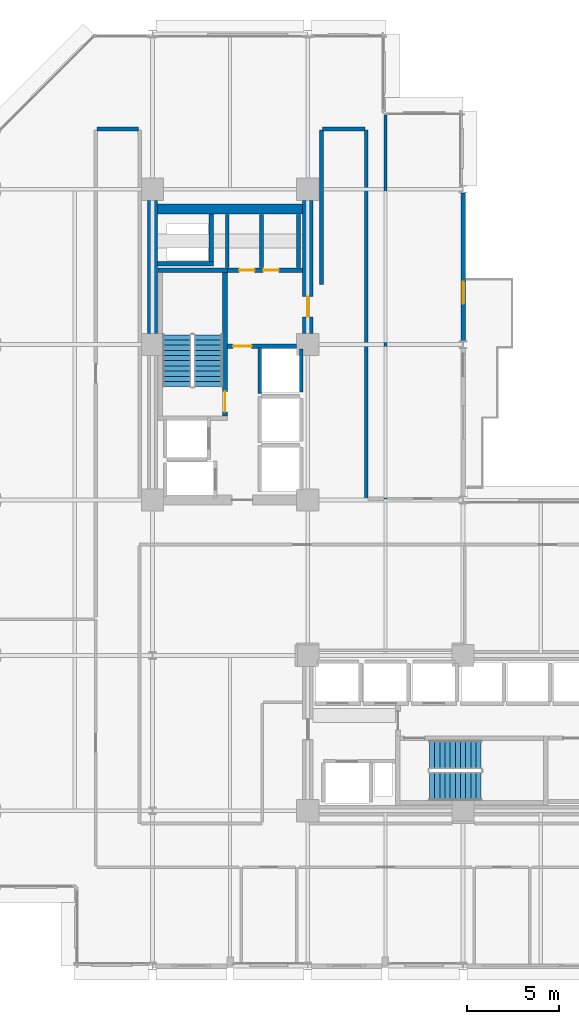
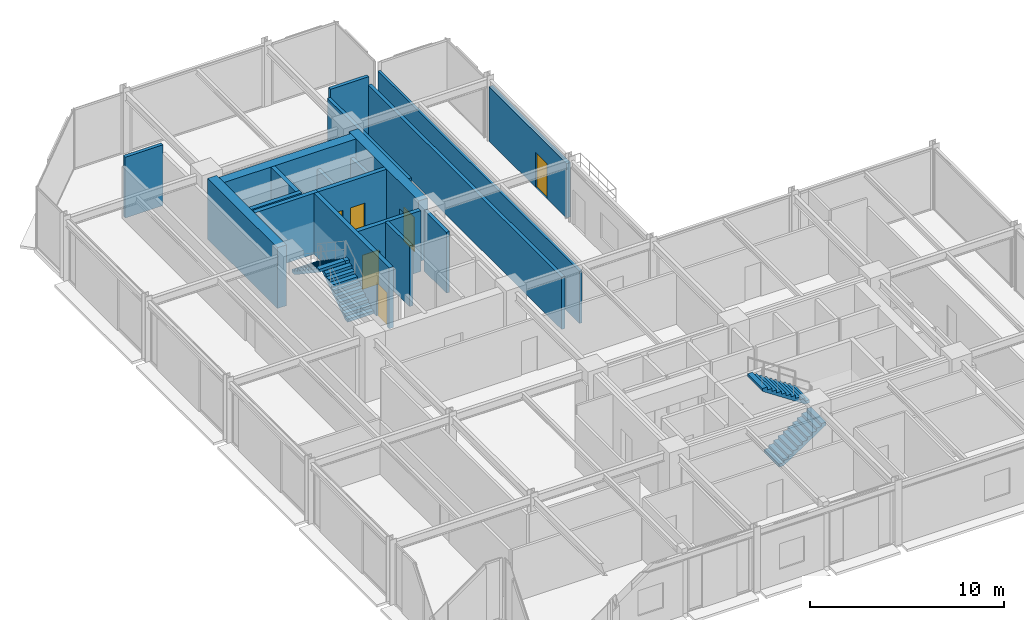
# One storey, part 26 of 30: 20 walls, 6 doors, 4 stair flights, 6 openings, 2 elements without a shape of their own.
"""IFC4 building model written with IfcOpenShell, lengths in metres."""

from ifc_helpers import new_model, si_unit, direction, frame, frame_2d, origin, place, context, subcontext, project, spatial, polyline, rectangle, outline, extrude, material, layer, layer_set, type_object, element, fill, aggregate, save


model = new_model("IFC4")

# Units and contexts
model_context = context("Model", 3, precision=1e-05, world=origin(), true_north=direction((0.0, 1.0)))
body_context = subcontext(model_context, "Body", "Model", "MODEL_VIEW")
ifc_project = project(units=[si_unit("LENGTHUNIT", "METRE"), si_unit("AREAUNIT", "SQUARE_METRE"), si_unit("VOLUMEUNIT", "CUBIC_METRE"), si_unit("PLANEANGLEUNIT", "RADIAN"), si_unit("MASSUNIT", "GRAM", prefix="KILO")], contexts=[model_context])

# Site, building, storey
site_placement = place(None, origin())
site = spatial("IfcSite", under=ifc_project, at=site_placement, CompositionType="ELEMENT")
building_placement = place(site_placement, origin())
building = spatial("IfcBuilding", under=site, at=building_placement, Name="Nerrivon Quay Data Exchange", CompositionType="ELEMENT")
storey_placement = place(building_placement, frame((0.0, 0.0, 117.199951171875)))
storey = spatial("IfcBuildingStorey", under=building, at=storey_placement, Name="L27", CompositionType="ELEMENT", Elevation=117.199951171875)

# Wall, opening, door
ifc_material_1 = material(Name="Architectural terracotta precast concrete N50 (50 MPa)", Category="masonry")
ifc_layer_1 = layer(ifc_material_1, 0.239990234375)
ifc_layer_set_1 = layer_set([ifc_layer_1], Name="Architectural terracotta precast concrete N50 (50 MPa)")
wall_type_1 = type_object("IfcWallType", Name="EW-PREC-240", PredefinedType="STANDARD", material=ifc_layer_set_1)
wall_1_placement = place(storey_placement, frame((25.199951171875, 41.800048828125, 0.0), z_axis=(0.0, 0.0, 1.0), x_axis=(0.0, -1.0, 0.0)))
wall_1 = element("IfcWall", 1, at=wall_1_placement, inside=storey, type_object=wall_type_1, Name="L27 Terrace Host Wall 24", PredefinedType="STANDARD", context=body_context, shape_type="SweptSolid", body=[
    extrude(rectangle(XDim=8.0, YDim=0.239990234375, at=frame_2d((4.0, 0.0))), origin(), (0.0, 0.0, 1.0), 3.422119140625),
])
opening_1_placement = place(wall_1_placement, frame((4.800048828125, 0.0, 0.0)))
opening_1 = element("IfcOpeningElement", 2, at=opening_1_placement, cuts=wall_1, Name="Opening TD1", PredefinedType="OPENING", context=body_context, shape_type="SweptSolid", body=[
    extrude(rectangle(XDim=1.199951171875, YDim=2.199951171875, at=frame_2d((0.60009765625, 1.10009765625))), frame((0.0, 0.1298828125, 0.0), z_axis=(0.0, -1.0, 0.0), x_axis=(1.0, 0.0, 0.0)), (0.0, 0.0, 1.0), 0.260009765625),
])
ifc_material_2 = material(Name="Double-glazed low-E solar control glass", Category="glass")
door_type_1 = type_object("IfcDoorType", Name="DR-TERR-1200x2200", OperationType="NOTDEFINED", PredefinedType="DOOR", material=ifc_material_2)
door_1_placement = place(opening_1_placement, origin())
door_1 = element("IfcDoor", 3, at=door_1_placement, inside=storey, type_object=door_type_1, Name="L27 Outdoor Terrace Access Door 24", OperationType="SINGLE_SWING_LEFT", OverallHeight=2.199951171875, OverallWidth=1.199951171875, PredefinedType="DOOR", context=body_context, shape_type="SweptSolid", body=[
    extrude(rectangle(XDim=1.199951171875, YDim=2.199951171875, at=frame_2d((0.60009765625, 1.10009765625))), frame((0.0, 0.02490234375, 0.0), z_axis=(0.0, -1.0, 0.0), x_axis=(1.0, 0.0, 0.0)), (0.0, 0.0, 1.0), 0.050048828125),
])
fill(opening_1, door_1)

# Walls
ifc_material_3 = material(Name="Concrete S65 (65 MPa)", Category="concrete")
ifc_layer_2 = layer(ifc_material_3, 0.550048828125)
ifc_layer_set_2 = layer_set([ifc_layer_2], Name="Concrete S65 (65 MPa)")
wall_type_2 = type_object("IfcWallType", Name="WALL-CW-700", PredefinedType="SHEAR", material=ifc_layer_set_2)
wall_2_placement = place(storey_placement, frame((8.39990234375, 34.199951171875, 0.0), z_axis=(0.0, 0.0, 1.0), x_axis=(0.0, 1.0, 0.0)))
element("IfcWall", 4, at=wall_2_placement, inside=storey, type_object=wall_type_2, Name="L27 West Split-Core Shear Wall WCW-W2", PredefinedType="SHEAR", context=body_context, shape_type="SweptSolid", body=[
    extrude(rectangle(XDim=7.199951171875, YDim=0.550048828125, at=frame_2d((3.60009765625, 0.0))), origin(), (0.0, 0.0, 1.0), 3.824951171875),
])
wall_3_placement = place(storey_placement, frame((8.675048828125, 40.925048828125, 0.0), z_axis=(0.0, 0.0, 1.0), x_axis=(1.0, 0.0, 0.0)))
element("IfcWall", 5, at=wall_3_placement, inside=storey, type_object=wall_type_2, Name="L27 West Split-Core Shear Wall WCW-N1", PredefinedType="SHEAR", context=body_context, shape_type="SweptSolid", body=[
    extrude(rectangle(XDim=7.849853515625, YDim=0.550048828125, at=frame_2d((3.9248046875, 0.0))), origin(), (0.0, 0.0, 1.0), 3.824951171875),
])

# Wall, opening, door
wall_4_placement = place(storey_placement, frame((16.800048828125, 34.199951171875, 0.0), z_axis=(0.0, 0.0, 1.0), x_axis=(0.0, 1.0, 0.0)))
wall_4 = element("IfcWall", 6, at=wall_4_placement, inside=storey, type_object=wall_type_2, Name="L27 West Split-Core Shear Wall WCW-E1", PredefinedType="SHEAR", context=body_context, shape_type="SweptSolid", body=[
    extrude(rectangle(XDim=7.199951171875, YDim=0.550048828125, at=frame_2d((3.60009765625, 0.0))), origin(), (0.0, 0.0, 1.0), 3.824951171875),
])
opening_2_placement = place(wall_4_placement, frame((0.89990234375, 0.0, 0.0)))
opening_2 = element("IfcOpeningElement", 7, at=opening_2_placement, cuts=wall_4, Name="Opening FD-120", PredefinedType="OPENING", context=body_context, shape_type="SweptSolid", body=[
    extrude(rectangle(XDim=1.10009765625, YDim=2.14990234375, at=frame_2d((0.550048828125, 1.074951171875))), frame((0.0, 0.284912109375, 0.0), z_axis=(0.0, -1.0, 0.0), x_axis=(1.0, 0.0, 0.0)), (0.0, 0.0, 1.0), 0.570068359375),
])
ifc_material_4 = material(Name="Powder-coated galvanized steel sheet", Category="steel")
door_type_2 = type_object("IfcDoorType", Name="DR-FD120-1100", OperationType="NOTDEFINED", PredefinedType="DOOR", material=ifc_material_4)
door_2_placement = place(opening_2_placement, origin())
door_2 = element("IfcDoor", 8, at=door_2_placement, inside=storey, type_object=door_type_2, Name="L27 West Core Lobby Fire Door", OperationType="SINGLE_SWING_RIGHT", OverallHeight=2.14990234375, OverallWidth=1.10009765625, PredefinedType="DOOR", context=body_context, shape_type="SweptSolid", body=[
    extrude(rectangle(XDim=1.10009765625, YDim=2.14990234375, at=frame_2d((0.550048828125, 1.074951171875))), frame((0.0, 0.02490234375, 0.0), z_axis=(0.0, -1.0, 0.0), x_axis=(1.0, 0.0, 0.0)), (0.0, 0.0, 1.0), 0.050048828125),
])
fill(opening_2, door_2)

# Walls
ifc_material_5 = material(Name="Gypsum plasterboard on cold-formed framing", Category="gypsum")
ifc_layer_3 = layer(ifc_material_5, 0.199951171875)
ifc_layer_set_3 = layer_set([ifc_layer_3], Name="Gypsum plasterboard on cold-formed framing")
wall_type_3 = type_object("IfcWallType", Name="WALL-FW-200", PredefinedType="PARTITIONING", material=ifc_layer_set_3)
wall_5_placement = place(storey_placement, frame((14.199951171875, 30.949951171875, 0.0), z_axis=(0.0, 0.0, 1.0), x_axis=(0.0, 1.0, 0.0)))
element("IfcWall", 9, at=wall_5_placement, inside=storey, type_object=wall_type_3, Name="L27 Lift Front Wall PL3", PredefinedType="PARTITIONING", context=body_context, shape_type="SweptSolid", body=[
    extrude(rectangle(XDim=2.5, YDim=0.199951171875, at=frame_2d((1.25, 0.0))), origin(), (0.0, 0.0, 1.0), 3.824951171875),
])
wall_6_placement = place(storey_placement, frame((16.449951171875, 31.050048828125, 0.0), z_axis=(0.0, 0.0, 1.0), x_axis=(0.0, 1.0, 0.0)))
element("IfcWall", 10, at=wall_6_placement, inside=storey, type_object=wall_type_3, Name="L27 Lift Shaft Wall PL3 EAST", PredefinedType="PARTITIONING", context=body_context, shape_type="SweptSolid", body=[
    extrude(rectangle(XDim=2.300048828125, YDim=0.199951171875, at=frame_2d((1.14990234375, 0.0))), origin(), (0.0, 0.0, 1.0), 3.824951171875),
])
for number, where, z_axis, x_axis, name in (
    (11, (14.300048828125, 37.780029296875, 0.0), (0.0, 0.0, 1.0), (0.0, 1.0, 0.0), "L27 Partition Cleaners Store"),
    (12, (12.449951171875, 40.64599609375, 0.0), (0.0, 0.0, 1.0), (0.0, -1.0, 0.0), "L27 Partition Cleaners Store"),
    (13, (16.300048828125, 37.780029296875, 0.0), (0.0, 0.0, 1.0), (0.0, 1.0, 0.0), "L27 Partition Janitor Closet"),
):
    element("IfcWall", number, at=place(storey_placement, frame(where, z_axis=z_axis, x_axis=x_axis)), inside=storey, type_object=wall_type_3, Name=name, PredefinedType="PARTITIONING", context=body_context, shape_type="SweptSolid", body=[
        extrude(rectangle(XDim=2.865966796875, YDim=0.199951171875, at=frame_2d((1.43310546875, 0.0))), origin(), (0.0, 0.0, 1.0), 2.72509765625),
    ])
wall_7_placement = place(storey_placement, frame((19.9599609375, 45.199951171875, 0.0), z_axis=(0.0, 0.0, 1.0), x_axis=(0.0, -1.0, 0.0)))
element("IfcWall", 14, at=wall_7_placement, inside=storey, type_object=wall_type_3, Name="L27 Partition Colocation Data Workspace 1", PredefinedType="PARTITIONING", context=body_context, shape_type="SweptSolid", body=[
    extrude(rectangle(XDim=19.93994140625, YDim=0.199951171875, at=frame_2d((9.969970703125, 0.0))), origin(), (0.0, 0.0, 1.0), 3.2919921875),
])
wall_8_placement = place(storey_placement, frame((5.39990234375, 45.260009765625, 0.0), z_axis=(0.0, 0.0, 1.0), x_axis=(1.0, 0.0, 0.0)))
element("IfcWall", 15, at=wall_8_placement, inside=storey, type_object=wall_type_3, Name="L27 Partition Colocation Data Workspace 1", PredefinedType="PARTITIONING", context=body_context, shape_type="SweptSolid", body=[
    extrude(rectangle(XDim=2.25, YDim=0.199951171875, at=frame_2d((1.125, 0.0))), origin(), (0.0, 0.0, 1.0), 3.824951171875),
])
wall_9_placement = place(storey_placement, frame((17.5400390625, 36.860107421875, 0.0), z_axis=(0.0, 0.0, 1.0), x_axis=(0.0, 1.0, 0.0)))
element("IfcWall", 16, at=wall_9_placement, inside=storey, type_object=wall_type_3, Name="L27 Partition Colocation Data Workspace 1", PredefinedType="PARTITIONING", context=body_context, shape_type="SweptSolid", body=[
    extrude(rectangle(XDim=8.33984375, YDim=0.199951171875, at=frame_2d((4.169921875, 0.0))), origin(), (0.0, 0.0, 1.0), 3.2919921875),
])
wall_10_placement = place(storey_placement, frame((17.60009765625, 45.260009765625, 0.0), z_axis=(0.0, 0.0, 1.0), x_axis=(1.0, 0.0, 0.0)))
element("IfcWall", 17, at=wall_10_placement, inside=storey, type_object=wall_type_3, Name="L27 Partition Colocation Data Workspace 1", PredefinedType="PARTITIONING", context=body_context, shape_type="SweptSolid", body=[
    extrude(rectangle(XDim=2.2998046875, YDim=0.199951171875, at=frame_2d((1.14990234375, 0.0))), origin(), (0.0, 0.0, 1.0), 3.824951171875),
])
ifc_layer_4 = layer(ifc_material_5, 0.14990234375)
ifc_layer_set_4 = layer_set([ifc_layer_4], Name="Gypsum plasterboard on cold-formed framing")
wall_type_4 = type_object("IfcWallType", Name="WALL-PT-150", PredefinedType="PARTITIONING", material=ifc_layer_set_4)
wall_11_placement = place(storey_placement, frame((21.0, 46.031005859375, 0.0), z_axis=(0.0, 0.0, 1.0), x_axis=(0.0, -1.0, 0.0)))
element("IfcWall", 18, at=wall_11_placement, inside=storey, type_object=wall_type_4, Name="L27 Partition Technical Library", PredefinedType="PARTITIONING", context=body_context, shape_type="SweptSolid", body=[
    extrude(rectangle(XDim=20.77099609375, YDim=0.14990234375, at=frame_2d((10.385498046875, 0.0))), origin(), (0.0, 0.0, 1.0), 3.2919921875),
])
ifc_material_6 = material(Name="Concrete N50 (50 MPa)", Category="concrete")
ifc_layer_5 = layer(ifc_material_6, 0.25)
ifc_layer_set_5 = layer_set([ifc_layer_5], Name="Concrete N50 (50 MPa)")
wall_type_5 = type_object("IfcWallType", Name="WALL-SW-250", PredefinedType="SHEAR", material=ifc_layer_set_5)
wall_12_placement = place(storey_placement, frame((12.449951171875, 37.625, 0.0), z_axis=(0.0, 0.0, 1.0), x_axis=(-1.0, 0.0, 0.0)))
element("IfcWall", 19, at=wall_12_placement, inside=storey, type_object=wall_type_5, Name="L27 ST01 Structural Stair Core Wall FAR", PredefinedType="SHEAR", context=body_context, shape_type="SweptSolid", body=[
    extrude(rectangle(XDim=3.75, YDim=0.25, at=frame_2d((1.875, 0.0))), origin(), (0.0, 0.0, 1.0), 3.824951171875),
])

# Wall, opening, door
wall_13_placement = place(storey_placement, frame((12.324951171875, 29.75, 0.0), z_axis=(0.0, 0.0, 1.0), x_axis=(0.0, 1.0, 0.0)))
wall_13 = element("IfcWall", 20, at=wall_13_placement, inside=storey, type_object=wall_type_5, Name="L27 ST01 Structural Stair Core Wall LEFT", PredefinedType="SHEAR", context=body_context, shape_type="SweptSolid", body=[
    extrude(rectangle(XDim=7.75, YDim=0.25, at=frame_2d((3.875, 0.0))), origin(), (0.0, 0.0, 1.0), 3.824951171875),
])
opening_3_placement = place(wall_13_placement, frame((0.219970703125, 0.0, 0.0)))
opening_3 = element("IfcOpeningElement", 21, at=opening_3_placement, cuts=wall_13, Name="Opening FD-120", PredefinedType="OPENING", context=body_context, shape_type="SweptSolid", body=[
    extrude(rectangle(XDim=1.10009765625, YDim=2.14990234375, at=frame_2d((0.550048828125, 1.074951171875))), frame((0.0, 0.135009765625, 0.0), z_axis=(0.0, -1.0, 0.0), x_axis=(1.0, 0.0, 0.0)), (0.0, 0.0, 1.0), 0.27001953125),
])
door_3_placement = place(opening_3_placement, origin())
door_3 = element("IfcDoor", 22, at=door_3_placement, inside=storey, type_object=door_type_2, Name="L27 Protected Stair Door ST01", OperationType="SINGLE_SWING_RIGHT", OverallHeight=2.14990234375, OverallWidth=1.10009765625, PredefinedType="DOOR", context=body_context, shape_type="SweptSolid", body=[
    extrude(rectangle(XDim=1.10009765625, YDim=2.14990234375, at=frame_2d((0.550048828125, 1.074951171875))), frame((0.0, 0.02490234375, 0.0), z_axis=(0.0, -1.0, 0.0), x_axis=(1.0, 0.0, 0.0)), (0.0, 0.0, 1.0), 0.050048828125),
])
fill(opening_3, door_3)

# Walls
wall_14_placement = place(storey_placement, frame((8.675048828125, 37.97509765625, 0.0), z_axis=(0.0, 0.0, 1.0), x_axis=(1.0, 0.0, 0.0)))
element("IfcWall", 23, at=wall_14_placement, inside=storey, type_object=wall_type_5, Name="L27 West Core MEP Riser Shaft Wall S", PredefinedType="SHEAR", context=body_context, shape_type="SweptSolid", body=[
    extrude(rectangle(XDim=3.02490234375, YDim=0.25, at=frame_2d((1.512451171875, 0.0))), origin(), (0.0, 0.0, 1.0), 3.824951171875),
])
wall_15_placement = place(storey_placement, frame((11.574951171875, 38.10009765625, 0.0), z_axis=(0.0, 0.0, 1.0), x_axis=(0.0, 1.0, 0.0)))
element("IfcWall", 24, at=wall_15_placement, inside=storey, type_object=wall_type_5, Name="L27 West Core MEP Riser Shaft Wall E", PredefinedType="SHEAR", context=body_context, shape_type="SweptSolid", body=[
    extrude(rectangle(XDim=2.5498046875, YDim=0.25, at=frame_2d((1.27490234375, 0.0))), origin(), (0.0, 0.0, 1.0), 3.824951171875),
])

# Wall, opening, door
wall_16_placement = place(storey_placement, frame((12.449951171875, 33.52001953125, 0.0), z_axis=(0.0, 0.0, 1.0), x_axis=(1.0, 0.0, 0.0)))
wall_16 = element("IfcWall", 25, at=wall_16_placement, inside=storey, type_object=wall_type_5, Name="L27 West Lobby Smoke-Stop Wall", PredefinedType="SHEAR", context=body_context, shape_type="SweptSolid", body=[
    extrude(rectangle(XDim=3.75, YDim=0.25, at=frame_2d((1.875, 0.0))), origin(), (0.0, 0.0, 1.0), 3.824951171875),
])
opening_4_placement = place(wall_16_placement, frame((0.320068359375, 0.0, 0.0)))
opening_4 = element("IfcOpeningElement", 26, at=opening_4_placement, cuts=wall_16, Name="Opening FD-60", PredefinedType="OPENING", context=body_context, shape_type="SweptSolid", body=[
    extrude(rectangle(XDim=1.0, YDim=2.14990234375, at=frame_2d((0.5, 1.074951171875))), frame((0.0, 0.135009765625, 0.0), z_axis=(0.0, -1.0, 0.0), x_axis=(1.0, 0.0, 0.0)), (0.0, 0.0, 1.0), 0.27001953125),
])
ifc_material_7 = material(Name="Engineered hardwood timber", Category="wood")
door_type_3 = type_object("IfcDoorType", Name="DR-FD60-1000", OperationType="NOTDEFINED", PredefinedType="DOOR", material=ifc_material_7)
door_4_placement = place(opening_4_placement, origin())
door_4 = element("IfcDoor", 27, at=door_4_placement, inside=storey, type_object=door_type_3, Name="L27 West Firefighting Lobby Fire Door", OperationType="SINGLE_SWING_RIGHT", OverallHeight=2.14990234375, OverallWidth=1.0, PredefinedType="DOOR", context=body_context, shape_type="SweptSolid", body=[
    extrude(rectangle(XDim=1.0, YDim=2.14990234375, at=frame_2d((0.5, 1.074951171875))), frame((0.0, 0.02490234375, 0.0), z_axis=(0.0, -1.0, 0.0), x_axis=(1.0, 0.0, 0.0)), (0.0, 0.0, 1.0), 0.050048828125),
])
fill(opening_4, door_4)

# Wall, openings, doors
wall_17_placement = place(storey_placement, frame((12.449951171875, 37.625, 0.0), z_axis=(0.0, 0.0, 1.0), x_axis=(1.0, 0.0, 0.0)))
wall_17 = element("IfcWall", 28, at=wall_17_placement, inside=storey, type_object=wall_type_5, Name="L27 West Firefighting Lobby Wall", PredefinedType="SHEAR", context=body_context, shape_type="SweptSolid", body=[
    extrude(rectangle(XDim=4.074951171875, YDim=0.25, at=frame_2d((2.03759765625, 0.0))), origin(), (0.0, 0.0, 1.0), 3.824951171875),
])
opening_5_placement = place(wall_17_placement, frame((0.634521484375, 0.0, 0.0)))
opening_5 = element("IfcOpeningElement", 29, at=opening_5_placement, cuts=wall_17, Name="Opening FD-60S", PredefinedType="OPENING", context=body_context, shape_type="SweptSolid", body=[
    extrude(rectangle(XDim=0.85009765625, YDim=2.14990234375, at=frame_2d((0.425048828125, 1.074951171875))), frame((0.0, 0.135009765625, 0.0), z_axis=(0.0, -1.0, 0.0), x_axis=(1.0, 0.0, 0.0)), (0.0, 0.0, 1.0), 0.27001953125),
])
opening_6_placement = place(wall_17_placement, frame((1.9384765625, 0.0, 0.0)))
opening_6 = element("IfcOpeningElement", 30, at=opening_6_placement, cuts=wall_17, Name="Opening FD-60S", PredefinedType="OPENING", context=body_context, shape_type="SweptSolid", body=[
    extrude(rectangle(XDim=0.85009765625, YDim=2.14990234375, at=frame_2d((0.425048828125, 1.074951171875))), frame((0.0, 0.135009765625, 0.0), z_axis=(0.0, -1.0, 0.0), x_axis=(1.0, 0.0, 0.0)), (0.0, 0.0, 1.0), 0.27001953125),
])
door_type_4 = type_object("IfcDoorType", Name="DR-FD60-850", OperationType="NOTDEFINED", PredefinedType="DOOR", material=ifc_material_7)
door_5_placement = place(opening_5_placement, origin())
door_5 = element("IfcDoor", 31, at=door_5_placement, inside=storey, type_object=door_type_4, Name="L27 Door Cleaners Store", OperationType="SINGLE_SWING_RIGHT", OverallHeight=2.14990234375, OverallWidth=0.85009765625, PredefinedType="DOOR", context=body_context, shape_type="SweptSolid", body=[
    extrude(rectangle(XDim=0.85009765625, YDim=2.14990234375, at=frame_2d((0.425048828125, 1.074951171875))), frame((0.0, 0.02490234375, 0.0), z_axis=(0.0, -1.0, 0.0), x_axis=(1.0, 0.0, 0.0)), (0.0, 0.0, 1.0), 0.050048828125),
])
fill(opening_5, door_5)
door_6_placement = place(opening_6_placement, origin())
door_6 = element("IfcDoor", 32, at=door_6_placement, inside=storey, type_object=door_type_4, Name="L27 Door Janitor Closet", OperationType="SINGLE_SWING_LEFT", OverallHeight=2.14990234375, OverallWidth=0.85009765625, PredefinedType="DOOR", context=body_context, shape_type="SweptSolid", body=[
    extrude(rectangle(XDim=0.85009765625, YDim=2.14990234375, at=frame_2d((0.425048828125, 1.074951171875))), frame((0.0, 0.02490234375, 0.0), z_axis=(0.0, -1.0, 0.0), x_axis=(1.0, 0.0, 0.0)), (0.0, 0.0, 1.0), 0.050048828125),
])
fill(opening_6, door_6)

# Stair, stair flights
stair_type = type_object("IfcStairType", Name="STAIR-DOG-41", PredefinedType="HALF_TURN_STAIR", material=ifc_material_6)
stair_1_placement = place(storey_placement, origin())
stair_1 = element("IfcStair", 33, at=stair_1_placement, inside=storey, type_object=stair_type, Name="L27 West Core Fire Stair ST01", PredefinedType="HALF_TURN_STAIR")
stair_flight_type = type_object("IfcStairFlightType", Name="FLIGHT-DOG-41", PredefinedType="STRAIGHT", material=ifc_material_6)
stair_flight_1_placement = place(storey_placement, frame((11.425048828125, 31.330078125, 0.0), z_axis=(0.0, 0.0, 1.0), x_axis=(0.0, 1.0, 0.0)))
stair_flight_1 = element("IfcStairFlight", 34, at=stair_flight_1_placement, type_object=stair_flight_type, Name="ST01 flight 1", NumberOfRisers=11, NumberOfTreads=10, PredefinedType="STRAIGHT", RiserHeight=0.186363636, TreadLength=0.28, context=body_context, shape_type="SweptSolid", body=[
    extrude(outline(polyline([(0.0, 0.0), (0.0, 0.186279296875), (0.280029296875, 0.186279296875), (0.280029296875, 0.372802734375), (0.56005859375, 0.372802734375), (0.56005859375, 0.55908203125), (0.840087890625, 0.55908203125), (0.840087890625, 0.745361328125), (1.1201171875, 0.745361328125), (1.1201171875, 0.931884765625), (1.39990234375, 0.931884765625), (1.39990234375, 1.1181640625), (1.679931640625, 1.1181640625), (1.679931640625, 1.304443359375), (1.9599609375, 1.304443359375), (1.9599609375, 1.490966796875), (2.239990234375, 1.490966796875), (2.239990234375, 1.67724609375), (2.52001953125, 1.67724609375), (2.52001953125, 1.863525390625), (2.800048828125, 1.863525390625), (2.800048828125, 2.050048828125), (2.800048828125, 1.68359375), (0.2705078125, 0.0), (0.0, 0.0)])), frame((0.0, 0.77490234375, 0.0), z_axis=(0.0, -1.0, 0.0), x_axis=(1.0, 0.0, 0.0)), (0.0, 0.0, 1.0), 1.550048828125),
])
stair_flight_2_placement = place(storey_placement, frame((9.72509765625, 34.1298828125, 2.050048828125), z_axis=(0.0, 0.0, 1.0), x_axis=(0.0, -1.0, 0.0)))
stair_flight_2 = element("IfcStairFlight", 35, at=stair_flight_2_placement, type_object=stair_flight_type, Name="ST01 flight 2", NumberOfRisers=11, NumberOfTreads=10, PredefinedType="STRAIGHT", RiserHeight=0.186363636, TreadLength=0.28, context=body_context, shape_type="SweptSolid", body=[
    extrude(outline(polyline([(0.0, 0.0), (0.0, 0.186279296875), (0.280029296875, 0.186279296875), (0.280029296875, 0.372802734375), (0.56005859375, 0.372802734375), (0.56005859375, 0.55908203125), (0.840087890625, 0.55908203125), (0.840087890625, 0.745361328125), (1.1201171875, 0.745361328125), (1.1201171875, 0.931884765625), (1.39990234375, 0.931884765625), (1.39990234375, 1.1181640625), (1.679931640625, 1.1181640625), (1.679931640625, 1.304443359375), (1.9599609375, 1.304443359375), (1.9599609375, 1.490966796875), (2.239990234375, 1.490966796875), (2.239990234375, 1.67724609375), (2.52001953125, 1.67724609375), (2.52001953125, 1.863525390625), (2.800048828125, 1.863525390625), (2.800048828125, 2.050048828125), (2.800048828125, 1.68359375), (0.2705078125, 0.0), (0.0, 0.0)])), frame((0.0, 0.77490234375, 0.0), z_axis=(0.0, -1.0, 0.0), x_axis=(1.0, 0.0, 0.0)), (0.0, 0.0, 1.0), 1.550048828125),
])
aggregate(stair_1, [stair_flight_1, stair_flight_2])

stair_2_placement = place(storey_placement, origin())
stair_2 = element("IfcStair", 36, at=stair_2_placement, inside=storey, type_object=stair_type, Name="L27 East Core Fire Stair ST02", PredefinedType="HALF_TURN_STAIR")
stair_flight_3_placement = place(storey_placement, frame((23.3798828125, 9.72509765625, 0.0), z_axis=(0.0, 0.0, 1.0), x_axis=(1.0, 0.0, 0.0)))
stair_flight_3 = element("IfcStairFlight", 37, at=stair_flight_3_placement, type_object=stair_flight_type, Name="ST02 flight 1", NumberOfRisers=11, NumberOfTreads=10, PredefinedType="STRAIGHT", RiserHeight=0.186363636, TreadLength=0.28, context=body_context, shape_type="SweptSolid", body=[
    extrude(outline(polyline([(0.0, 0.0), (0.0, 0.186279296875), (0.280029296875, 0.186279296875), (0.280029296875, 0.372802734375), (0.56005859375, 0.372802734375), (0.56005859375, 0.55908203125), (0.840087890625, 0.55908203125), (0.840087890625, 0.745361328125), (1.1201171875, 0.745361328125), (1.1201171875, 0.931884765625), (1.39990234375, 0.931884765625), (1.39990234375, 1.1181640625), (1.679931640625, 1.1181640625), (1.679931640625, 1.304443359375), (1.9599609375, 1.304443359375), (1.9599609375, 1.490966796875), (2.239990234375, 1.490966796875), (2.239990234375, 1.67724609375), (2.52001953125, 1.67724609375), (2.52001953125, 1.863525390625), (2.800048828125, 1.863525390625), (2.800048828125, 2.050048828125), (2.800048828125, 1.68359375), (0.2705078125, 0.0), (0.0, 0.0)])), frame((0.0, 0.77490234375, 0.0), z_axis=(0.0, -1.0, 0.0), x_axis=(1.0, 0.0, 0.0)), (0.0, 0.0, 1.0), 1.550048828125),
])
stair_flight_4_placement = place(storey_placement, frame((26.179931640625, 11.425048828125, 2.050048828125), z_axis=(0.0, 0.0, 1.0), x_axis=(-1.0, 0.0, 0.0)))
stair_flight_4 = element("IfcStairFlight", 38, at=stair_flight_4_placement, type_object=stair_flight_type, Name="ST02 flight 2", NumberOfRisers=11, NumberOfTreads=10, PredefinedType="STRAIGHT", RiserHeight=0.186363636, TreadLength=0.28, context=body_context, shape_type="SweptSolid", body=[
    extrude(outline(polyline([(0.0, 0.0), (0.0, 0.186279296875), (0.280029296875, 0.186279296875), (0.280029296875, 0.372802734375), (0.56005859375, 0.372802734375), (0.56005859375, 0.55908203125), (0.840087890625, 0.55908203125), (0.840087890625, 0.745361328125), (1.1201171875, 0.745361328125), (1.1201171875, 0.931884765625), (1.39990234375, 0.931884765625), (1.39990234375, 1.1181640625), (1.679931640625, 1.1181640625), (1.679931640625, 1.304443359375), (1.9599609375, 1.304443359375), (1.9599609375, 1.490966796875), (2.239990234375, 1.490966796875), (2.239990234375, 1.67724609375), (2.52001953125, 1.67724609375), (2.52001953125, 1.863525390625), (2.800048828125, 1.863525390625), (2.800048828125, 2.050048828125), (2.800048828125, 1.68359375), (0.2705078125, 0.0), (0.0, 0.0)])), frame((0.0, 0.77490234375, 0.0), z_axis=(0.0, -1.0, 0.0), x_axis=(1.0, 0.0, 0.0)), (0.0, 0.0, 1.0), 1.550048828125),
])
aggregate(stair_2, [stair_flight_3, stair_flight_4])

save(model, "model.ifc")
